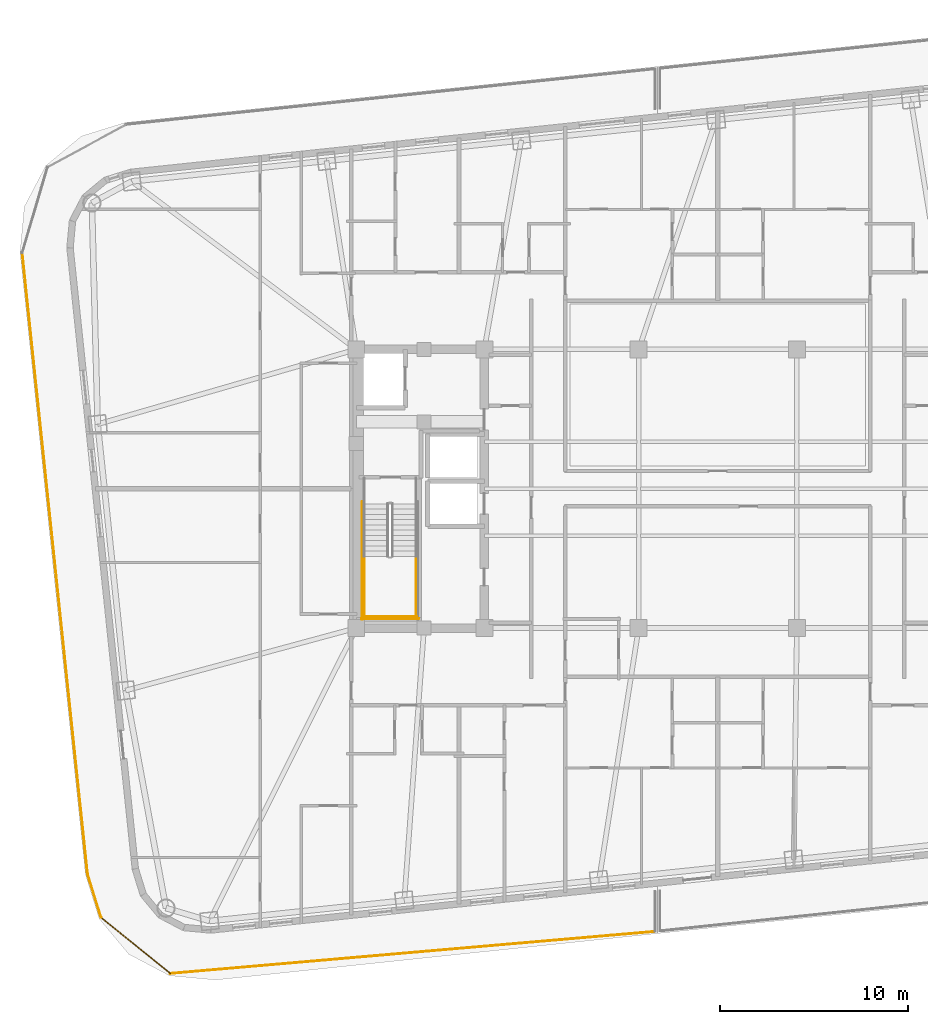
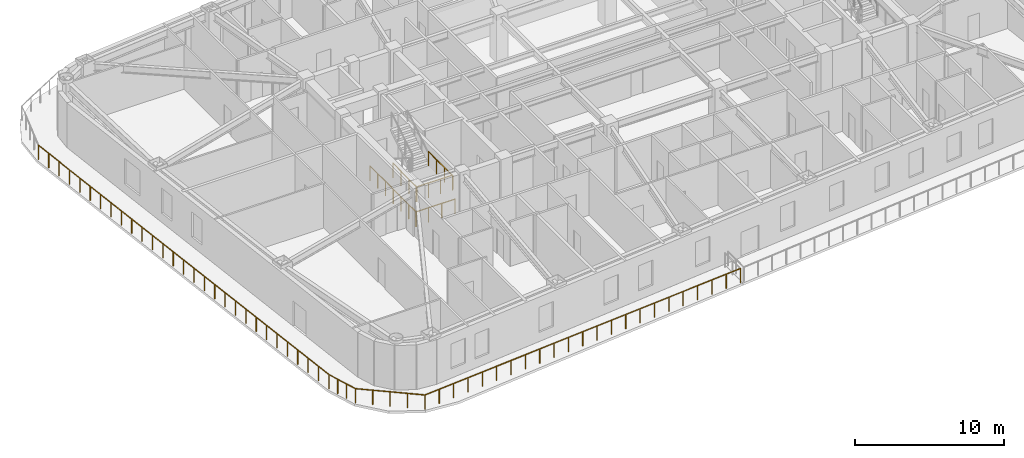
# One storey, part 11 of 15: 9 railings.
"""IFC4 building model written with IfcOpenShell, lengths in metres."""

from ifc_helpers import new_model, si_unit, direction, frame, origin, origin_2d, place, context, subcontext, project, spatial, circle, extrude, material, type_object, element, save


model = new_model("IFC4")

# Units and contexts
model_context = context("Model", 3, precision=1e-05, world=origin(), true_north=direction((0.0, 1.0)))
body_context = subcontext(model_context, "Body", "Model", "MODEL_VIEW")
ifc_project = project(units=[si_unit("LENGTHUNIT", "METRE"), si_unit("AREAUNIT", "SQUARE_METRE"), si_unit("VOLUMEUNIT", "CUBIC_METRE"), si_unit("PLANEANGLEUNIT", "RADIAN"), si_unit("MASSUNIT", "GRAM", prefix="KILO")], contexts=[model_context])

# Site, building, storey
site_placement = place(None, origin())
site = spatial("IfcSite", under=ifc_project, at=site_placement, CompositionType="ELEMENT")
building_placement = place(site_placement, origin())
building = spatial("IfcBuilding", under=site, at=building_placement, Name="Voryun Gate Residences", CompositionType="ELEMENT")
storey_placement = place(building_placement, frame((0.0, 0.0, 171.60009765625)))
storey = spatial("IfcBuildingStorey", under=building, at=storey_placement, Name="L42", CompositionType="ELEMENT", Elevation=171.60009765625)

# Railings
ifc_material_1 = material(Name="Anodised aluminium", Category="aluminium")
railing_type_1 = type_object("IfcRailingType", Name="RAIL_BALCONY_GUARD_1200", PredefinedType="GUARDRAIL", material=ifc_material_1)
railing_1_placement = place(storey_placement, frame((-29.076904296875, -25.75, 0.0)))
element("IfcRailing", 1, at=railing_1_placement, inside=storey, type_object=railing_type_1, Name="Terrace guard RL-L42-P1L1-01", PredefinedType="GUARDRAIL", context=body_context, shape_type="SweptSolid", body=[
    extrude(circle(Radius=0.02392578125, at=origin_2d()), frame((0.0, 0.0, 1.17578125), z_axis=(-0.777147463593, 0.629318536062, 0.0), x_axis=(-0.629318536062, -0.777147463593, 0.0)), (0.0, 0.0, 1.0), 4.728271484375),
    extrude(circle(Radius=0.02099609375, at=origin_2d()), origin(), (0.0, 0.0, 1.0), 1.15185546875),
    extrude(circle(Radius=0.02099609375, at=origin_2d()), frame((-0.918701171875, 0.743896484375, 0.0)), (0.0, 0.0, 1.0), 1.15185546875),
    extrude(circle(Radius=0.02099609375, at=origin_2d()), frame((-1.83740234375, 1.48779296875, 0.0)), (0.0, 0.0, 1.0), 1.15185546875),
    extrude(circle(Radius=0.02099609375, at=origin_2d()), frame((-2.755859375, 2.231689453125, 0.0)), (0.0, 0.0, 1.0), 1.15185546875),
    extrude(circle(Radius=0.02099609375, at=origin_2d()), frame((-3.674560546875, 2.9755859375, 0.0)), (0.0, 0.0, 1.0), 1.15185546875),
])
railing_2_placement = place(storey_placement, frame((-32.75146484375, -22.7744140625, 0.0)))
element("IfcRailing", 2, at=railing_2_placement, inside=storey, type_object=railing_type_1, Name="Terrace guard RL-L42-P1L1-02", PredefinedType="GUARDRAIL", context=body_context, shape_type="SweptSolid", body=[
    extrude(circle(Radius=0.02392578125, at=origin_2d()), frame((0.0, 0.0, 1.17578125), z_axis=(-0.296506993007, 0.955030681757, 0.0), x_axis=(-0.955030681757, -0.296506993007, 0.0)), (0.0, 0.0, 1.0), 2.42236328125),
    extrude(circle(Radius=0.02099609375, at=origin_2d()), origin(), (0.0, 0.0, 1.0), 1.15185546875),
    extrude(circle(Radius=0.02099609375, at=origin_2d()), frame((-0.239501953125, 0.771240234375, 0.0)), (0.0, 0.0, 1.0), 1.15185546875),
    extrude(circle(Radius=0.02099609375, at=origin_2d()), frame((-0.478759765625, 1.542236328125, 0.0)), (0.0, 0.0, 1.0), 1.15185546875),
    extrude(circle(Radius=0.02099609375, at=origin_2d()), frame((-0.71826171875, 2.3134765625, 0.0)), (0.0, 0.0, 1.0), 1.15185546875),
])
railing_3_placement = place(storey_placement, frame((-33.4697265625, -20.4609375, 0.0)))
element("IfcRailing", 3, at=railing_3_placement, inside=storey, type_object=railing_type_1, Name="Terrace guard RL-L42-P1L1-03", PredefinedType="GUARDRAIL", context=body_context, shape_type="SweptSolid", body=[
    extrude(circle(Radius=0.02392578125, at=origin_2d()), frame((0.0, 0.0, 1.17578125), z_axis=(-0.104532706762, 0.99452144935, 0.0), x_axis=(-0.99452144935, -0.104532706762, 0.0)), (0.0, 0.0, 1.0), 33.17626953125),
    extrude(circle(Radius=0.02099609375, at=origin_2d()), origin(), (0.0, 0.0, 1.0), 1.15185546875),
    extrude(circle(Radius=0.02099609375, at=origin_2d()), frame((-0.123779296875, 1.178466796875, 0.0)), (0.0, 0.0, 1.0), 1.15185546875),
    extrude(circle(Radius=0.02099609375, at=origin_2d()), frame((-0.247802734375, 2.356689453125, 0.0)), (0.0, 0.0, 1.0), 1.15185546875),
    extrude(circle(Radius=0.02099609375, at=origin_2d()), frame((-0.37158203125, 3.53515625, 0.0)), (0.0, 0.0, 1.0), 1.15185546875),
    extrude(circle(Radius=0.02099609375, at=origin_2d()), frame((-0.495361328125, 4.713623046875, 0.0)), (0.0, 0.0, 1.0), 1.15185546875),
    extrude(circle(Radius=0.02099609375, at=origin_2d()), frame((-0.619384765625, 5.891845703125, 0.0)), (0.0, 0.0, 1.0), 1.15185546875),
    extrude(circle(Radius=0.02099609375, at=origin_2d()), frame((-0.7431640625, 7.0703125, 0.0)), (0.0, 0.0, 1.0), 1.15185546875),
    extrude(circle(Radius=0.02099609375, at=origin_2d()), frame((-0.866943359375, 8.24853515625, 0.0)), (0.0, 0.0, 1.0), 1.15185546875),
    extrude(circle(Radius=0.02099609375, at=origin_2d()), frame((-0.990966796875, 9.427001953125, 0.0)), (0.0, 0.0, 1.0), 1.15185546875),
    extrude(circle(Radius=0.02099609375, at=origin_2d()), frame((-1.11474609375, 10.60546875, 0.0)), (0.0, 0.0, 1.0), 1.15185546875),
    extrude(circle(Radius=0.02099609375, at=origin_2d()), frame((-1.238525390625, 11.78369140625, 0.0)), (0.0, 0.0, 1.0), 1.15185546875),
    extrude(circle(Radius=0.02099609375, at=origin_2d()), frame((-1.362548828125, 12.962158203125, 0.0)), (0.0, 0.0, 1.0), 1.15185546875),
    extrude(circle(Radius=0.02099609375, at=origin_2d()), frame((-1.486328125, 14.140625, 0.0)), (0.0, 0.0, 1.0), 1.15185546875),
    extrude(circle(Radius=0.02099609375, at=origin_2d()), frame((-1.610107421875, 15.31884765625, 0.0)), (0.0, 0.0, 1.0), 1.15185546875),
    extrude(circle(Radius=0.02099609375, at=origin_2d()), frame((-1.73388671875, 16.497314453125, 0.0)), (0.0, 0.0, 1.0), 1.15185546875),
    extrude(circle(Radius=0.02099609375, at=origin_2d()), frame((-1.85791015625, 17.67578125, 0.0)), (0.0, 0.0, 1.0), 1.15185546875),
    extrude(circle(Radius=0.02099609375, at=origin_2d()), frame((-1.981689453125, 18.85400390625, 0.0)), (0.0, 0.0, 1.0), 1.15185546875),
    extrude(circle(Radius=0.02099609375, at=origin_2d()), frame((-2.10546875, 20.032470703125, 0.0)), (0.0, 0.0, 1.0), 1.15185546875),
    extrude(circle(Radius=0.02099609375, at=origin_2d()), frame((-2.2294921875, 21.2109375, 0.0)), (0.0, 0.0, 1.0), 1.15185546875),
    extrude(circle(Radius=0.02099609375, at=origin_2d()), frame((-2.353271484375, 22.38916015625, 0.0)), (0.0, 0.0, 1.0), 1.15185546875),
    extrude(circle(Radius=0.02099609375, at=origin_2d()), frame((-2.47705078125, 23.567626953125, 0.0)), (0.0, 0.0, 1.0), 1.15185546875),
    extrude(circle(Radius=0.02099609375, at=origin_2d()), frame((-2.60107421875, 24.74609375, 0.0)), (0.0, 0.0, 1.0), 1.15185546875),
    extrude(circle(Radius=0.02099609375, at=origin_2d()), frame((-2.724853515625, 25.92431640625, 0.0)), (0.0, 0.0, 1.0), 1.15185546875),
    extrude(circle(Radius=0.02099609375, at=origin_2d()), frame((-2.8486328125, 27.102783203125, 0.0)), (0.0, 0.0, 1.0), 1.15185546875),
    extrude(circle(Radius=0.02099609375, at=origin_2d()), frame((-2.97265625, 28.281005859375, 0.0)), (0.0, 0.0, 1.0), 1.15185546875),
    extrude(circle(Radius=0.02099609375, at=origin_2d()), frame((-3.096435546875, 29.45947265625, 0.0)), (0.0, 0.0, 1.0), 1.15185546875),
    extrude(circle(Radius=0.02099609375, at=origin_2d()), frame((-3.22021484375, 30.637939453125, 0.0)), (0.0, 0.0, 1.0), 1.15185546875),
    extrude(circle(Radius=0.02099609375, at=origin_2d()), frame((-3.34423828125, 31.816162109375, 0.0)), (0.0, 0.0, 1.0), 1.15185546875),
    extrude(circle(Radius=0.02099609375, at=origin_2d()), frame((-3.468017578125, 32.99462890625, 0.0)), (0.0, 0.0, 1.0), 1.15185546875),
])
railing_4_placement = place(storey_placement, frame((-3.330078125, -23.51904296875, 0.0)))
element("IfcRailing", 4, at=railing_4_placement, inside=storey, type_object=railing_type_1, Name="Terrace guard RL-L42-P1L2-02", PredefinedType="GUARDRAIL", context=body_context, shape_type="SweptSolid", body=[
    extrude(circle(Radius=0.02392578125, at=origin_2d()), frame((0.0, 0.0, 1.17578125), z_axis=(-0.996266915529, -0.086326317091, 0.0), x_axis=(0.086326317091, -0.996266915529, 0.0)), (0.0, 0.0, 1.0), 25.84326171875),
    extrude(circle(Radius=0.02099609375, at=origin_2d()), origin(), (0.0, 0.0, 1.0), 1.15185546875),
    extrude(circle(Radius=0.02099609375, at=origin_2d()), frame((-1.17041015625, -0.101318359375, 0.0)), (0.0, 0.0, 1.0), 1.15185546875),
    extrude(circle(Radius=0.02099609375, at=origin_2d()), frame((-2.340576171875, -0.202880859375, 0.0)), (0.0, 0.0, 1.0), 1.15185546875),
    extrude(circle(Radius=0.02099609375, at=origin_2d()), frame((-3.510986328125, -0.30419921875, 0.0)), (0.0, 0.0, 1.0), 1.15185546875),
    extrude(circle(Radius=0.02099609375, at=origin_2d()), frame((-4.68115234375, -0.405517578125, 0.0)), (0.0, 0.0, 1.0), 1.15185546875),
    extrude(circle(Radius=0.02099609375, at=origin_2d()), frame((-5.8515625, -0.507080078125, 0.0)), (0.0, 0.0, 1.0), 1.15185546875),
    extrude(circle(Radius=0.02099609375, at=origin_2d()), frame((-7.02197265625, -0.6083984375, 0.0)), (0.0, 0.0, 1.0), 1.15185546875),
    extrude(circle(Radius=0.02099609375, at=origin_2d()), frame((-8.192138671875, -0.7099609375, 0.0)), (0.0, 0.0, 1.0), 1.15185546875),
    extrude(circle(Radius=0.02099609375, at=origin_2d()), frame((-9.362548828125, -0.811279296875, 0.0)), (0.0, 0.0, 1.0), 1.15185546875),
    extrude(circle(Radius=0.02099609375, at=origin_2d()), frame((-10.53271484375, -0.91259765625, 0.0)), (0.0, 0.0, 1.0), 1.15185546875),
    extrude(circle(Radius=0.02099609375, at=origin_2d()), frame((-11.703125, -1.01416015625, 0.0)), (0.0, 0.0, 1.0), 1.15185546875),
    extrude(circle(Radius=0.02099609375, at=origin_2d()), frame((-12.87353515625, -1.115478515625, 0.0)), (0.0, 0.0, 1.0), 1.15185546875),
    extrude(circle(Radius=0.02099609375, at=origin_2d()), frame((-14.043701171875, -1.216796875, 0.0)), (0.0, 0.0, 1.0), 1.15185546875),
    extrude(circle(Radius=0.02099609375, at=origin_2d()), frame((-15.214111328125, -1.318359375, 0.0)), (0.0, 0.0, 1.0), 1.15185546875),
    extrude(circle(Radius=0.02099609375, at=origin_2d()), frame((-16.38427734375, -1.419677734375, 0.0)), (0.0, 0.0, 1.0), 1.15185546875),
    extrude(circle(Radius=0.02099609375, at=origin_2d()), frame((-17.5546875, -1.52099609375, 0.0)), (0.0, 0.0, 1.0), 1.15185546875),
    extrude(circle(Radius=0.02099609375, at=origin_2d()), frame((-18.724853515625, -1.62255859375, 0.0)), (0.0, 0.0, 1.0), 1.15185546875),
    extrude(circle(Radius=0.02099609375, at=origin_2d()), frame((-19.895263671875, -1.723876953125, 0.0)), (0.0, 0.0, 1.0), 1.15185546875),
    extrude(circle(Radius=0.02099609375, at=origin_2d()), frame((-21.065673828125, -1.825439453125, 0.0)), (0.0, 0.0, 1.0), 1.15185546875),
    extrude(circle(Radius=0.02099609375, at=origin_2d()), frame((-22.23583984375, -1.9267578125, 0.0)), (0.0, 0.0, 1.0), 1.15185546875),
    extrude(circle(Radius=0.02099609375, at=origin_2d()), frame((-23.40625, -2.028076171875, 0.0)), (0.0, 0.0, 1.0), 1.15185546875),
    extrude(circle(Radius=0.02099609375, at=origin_2d()), frame((-24.576416015625, -2.129638671875, 0.0)), (0.0, 0.0, 1.0), 1.15185546875),
    extrude(circle(Radius=0.02099609375, at=origin_2d()), frame((-25.746826171875, -2.23095703125, 0.0)), (0.0, 0.0, 1.0), 1.15185546875),
])
ifc_material_2 = material(Name="Painted steel", Category="steel")
railing_type_2 = type_object("IfcRailingType", Name="RAIL_STAIR_GUARD_1200", PredefinedType="GUARDRAIL", material=ifc_material_2)
for number, where, name in (
    (5, (-18.77490234375, -3.60009765625, 1.949951171875), "L42 ST-W1 stair guard 3"),
    (6, (-16.02490234375, -3.60009765625, 1.949951171875), "L42 ST-W1 stair guard 4"),
):
    element("IfcRailing", number, at=place(storey_placement, frame(where)), inside=storey, type_object=railing_type_2, Name=name, PredefinedType="GUARDRAIL", context=body_context, shape_type="SweptSolid", body=[
        extrude(circle(Radius=0.02392578125, at=origin_2d()), frame((0.0, 0.0, 1.17578125), z_axis=(0.0, -1.0, 0.0), x_axis=(1.0, 0.0, 0.0)), (0.0, 0.0, 1.0), 3.25),
        extrude(circle(Radius=0.02099609375, at=origin_2d()), origin(), (0.0, 0.0, 1.0), 1.15185546875),
        extrude(circle(Radius=0.02099609375, at=origin_2d()), frame((0.0, -1.083251953125, 0.0)), (0.0, 0.0, 1.0), 1.15185546875),
        extrude(circle(Radius=0.02099609375, at=origin_2d()), frame((0.0, -2.166748046875, 0.0)), (0.0, 0.0, 1.0), 1.15185546875),
        extrude(circle(Radius=0.02099609375, at=origin_2d()), frame((0.0, -3.25, 0.0)), (0.0, 0.0, 1.0), 1.15185546875),
    ])
railing_5_placement = place(storey_placement, frame((-18.824951171875, -6.800048828125, 1.949951171875)))
element("IfcRailing", 7, at=railing_5_placement, inside=storey, type_object=railing_type_2, Name="L42 ST-W1 stair guard 5", PredefinedType="GUARDRAIL", context=body_context, shape_type="SweptSolid", body=[
    extrude(circle(Radius=0.02392578125, at=origin_2d()), frame((0.0, 0.0, 1.17578125), z_axis=(1.0, 0.0, 0.0), x_axis=(0.0, 1.0, 0.0)), (0.0, 0.0, 1.0), 2.849853515625),
    extrude(circle(Radius=0.02099609375, at=origin_2d()), origin(), (0.0, 0.0, 1.0), 1.15185546875),
    extrude(circle(Radius=0.02099609375, at=origin_2d()), frame((0.949951171875, 0.0, 0.0)), (0.0, 0.0, 1.0), 1.15185546875),
    extrude(circle(Radius=0.02099609375, at=origin_2d()), frame((1.89990234375, 0.0, 0.0)), (0.0, 0.0, 1.0), 1.15185546875),
    extrude(circle(Radius=0.02099609375, at=origin_2d()), frame((2.849853515625, 0.0, 0.0)), (0.0, 0.0, 1.0), 1.15185546875),
])
railing_6_placement = place(storey_placement, frame((-18.875, -0.699951171875, 0.0)))
element("IfcRailing", 8, at=railing_6_placement, inside=storey, type_object=railing_type_2, Name="L42 ST-W1 stair guard 10", PredefinedType="GUARDRAIL", context=body_context, shape_type="SweptSolid", body=[
    extrude(circle(Radius=0.02392578125, at=origin_2d()), frame((0.0, 0.0, 1.17578125), z_axis=(0.0, -1.0, 0.0), x_axis=(1.0, 0.0, 0.0)), (0.0, 0.0, 1.0), 6.25),
    extrude(circle(Radius=0.02099609375, at=origin_2d()), origin(), (0.0, 0.0, 1.0), 1.15185546875),
    extrude(circle(Radius=0.02099609375, at=origin_2d()), frame((0.0, -1.041748046875, 0.0)), (0.0, 0.0, 1.0), 1.15185546875),
    extrude(circle(Radius=0.02099609375, at=origin_2d()), frame((0.0, -2.083251953125, 0.0)), (0.0, 0.0, 1.0), 1.15185546875),
    extrude(circle(Radius=0.02099609375, at=origin_2d()), frame((0.0, -3.125, 0.0)), (0.0, 0.0, 1.0), 1.15185546875),
    extrude(circle(Radius=0.02099609375, at=origin_2d()), frame((0.0, -4.166748046875, 0.0)), (0.0, 0.0, 1.0), 1.15185546875),
    extrude(circle(Radius=0.02099609375, at=origin_2d()), frame((0.0, -5.208251953125, 0.0)), (0.0, 0.0, 1.0), 1.15185546875),
    extrude(circle(Radius=0.02099609375, at=origin_2d()), frame((0.0, -6.25, 0.0)), (0.0, 0.0, 1.0), 1.15185546875),
])
railing_7_placement = place(storey_placement, frame((-18.925048828125, -6.89990234375, 0.0)))
element("IfcRailing", 9, at=railing_7_placement, inside=storey, type_object=railing_type_2, Name="L42 ST-W1 stair guard 12", PredefinedType="GUARDRAIL", context=body_context, shape_type="SweptSolid", body=[
    extrude(circle(Radius=0.02392578125, at=origin_2d()), frame((0.0, 0.0, 1.17578125), z_axis=(1.0, 0.0, 0.0), x_axis=(0.0, 1.0, 0.0)), (0.0, 0.0, 1.0), 3.050048828125),
    extrude(circle(Radius=0.02099609375, at=origin_2d()), origin(), (0.0, 0.0, 1.0), 1.15185546875),
    extrude(circle(Radius=0.02099609375, at=origin_2d()), frame((1.0166015625, 0.0, 0.0)), (0.0, 0.0, 1.0), 1.15185546875),
    extrude(circle(Radius=0.02099609375, at=origin_2d()), frame((2.033447265625, 0.0, 0.0)), (0.0, 0.0, 1.0), 1.15185546875),
    extrude(circle(Radius=0.02099609375, at=origin_2d()), frame((3.050048828125, 0.0, 0.0)), (0.0, 0.0, 1.0), 1.15185546875),
])

save(model, "model.ifc")
